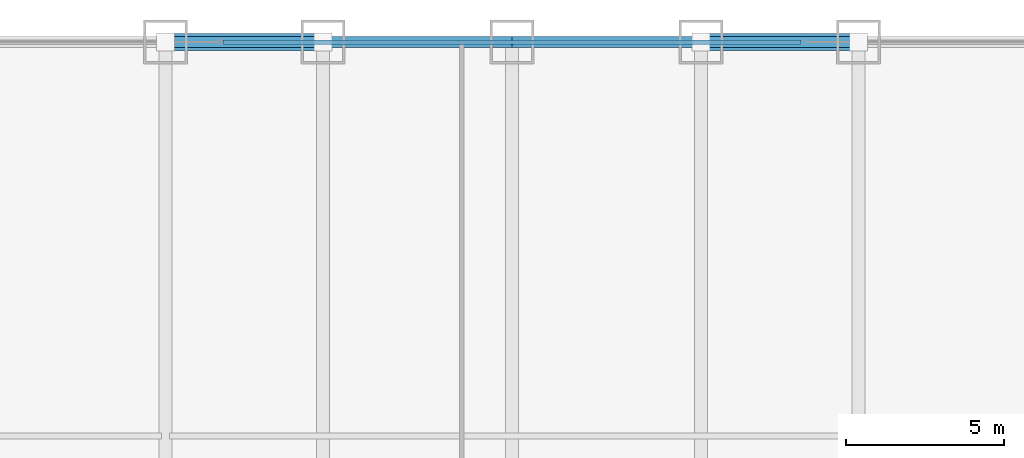
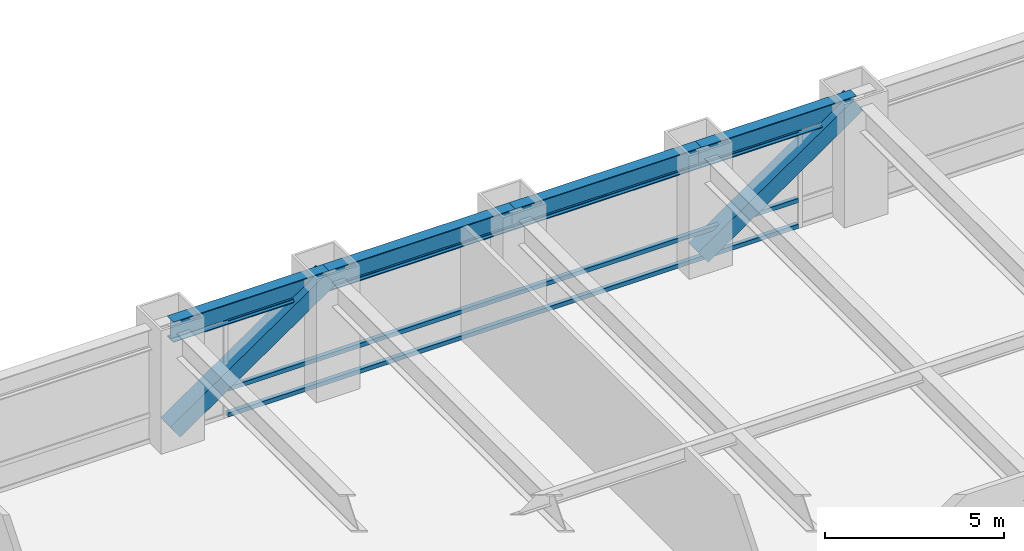
# One storey, part 20 of 28: 5 members, 4 beams, 1 element without a shape of its own.
"""IFC4 building model written with IfcOpenShell, lengths in metres."""

from ifc_helpers import new_model, si_unit, direction, frame, origin, origin_2d, place, context, subcontext, project, spatial, hollow_rectangle, i_section, extrude, source, transform, mapped, material, material_profile, profile_set, type_object, element, aggregate, save


model = new_model("IFC4")

# Units and contexts
model_context = context("Model", 3, precision=1e-05, world=origin(), true_north=direction((0.0, 1.0)))
body_context = subcontext(model_context, "Body", "Model", "MODEL_VIEW")
ifc_project = project(units=[si_unit("LENGTHUNIT", "METRE"), si_unit("AREAUNIT", "SQUARE_METRE"), si_unit("VOLUMEUNIT", "CUBIC_METRE"), si_unit("PLANEANGLEUNIT", "RADIAN"), si_unit("MASSUNIT", "GRAM", prefix="KILO")], contexts=[model_context])

# Site, building, storey
site_placement = place(None, origin())
site = spatial("IfcSite", under=ifc_project, at=site_placement, CompositionType="ELEMENT")
building_placement = place(site_placement, origin())
building = spatial("IfcBuilding", under=site, at=building_placement, Name="Khorayat Bourse Tower", CompositionType="ELEMENT")
storey_placement = place(building_placement, frame((0.0, 0.0, 57.800048828125)))
storey = spatial("IfcBuildingStorey", under=building, at=storey_placement, Name="L12", CompositionType="ELEMENT", Elevation=57.800048828125)

# Beams
ifc_material_1 = material(Name="Steel ASTM A992 Grade 50", Category="steel")
ifc_material_profile_1 = material_profile(ifc_material_1, i_section(OverallWidth=0.35498046875, OverallDepth=0.695068359375, WebThickness=0.015380859375, FlangeThickness=0.02490234375, FilletRadius=0.01806640625, at=origin_2d()), Name="W690X217")
ifc_profile_set_1 = profile_set([ifc_material_profile_1], Name="Steel ASTM A992 Grade 50")
beam_type = type_object("IfcBeamType", Name="BM-SPAN-690", PredefinedType="SPANDREL", material=ifc_profile_set_1)
shared_shape_1 = source(origin(), body_context, "Body", "SweptSolid", [
    extrude(i_section(OverallWidth=0.35498046875, OverallDepth=0.695068359375, WebThickness=0.015380859375, FlangeThickness=0.02490234375, FilletRadius=0.01806640625, at=origin_2d()), origin(), (0.0, 0.0, 1.0), 5.0),
])
for number, where, z_axis, x_axis, name in (
    (1, (6.0, 32.0, 3.592529296875), (1.0, 0.0, 0.0), (0.0, 1.0, 0.0), "L12 BM-SPAN-690 BM-L12-SPN-046"),
    (2, (-11.0, 32.0, 3.592529296875), (1.0, 0.0, 0.0), (0.0, 1.0, 0.0), "L12 BM-SPAN-690 BM-L12-SPN-049"),
):
    element("IfcBeam", number, at=place(storey_placement, frame(where, z_axis=z_axis, x_axis=x_axis)), inside=storey, type_object=beam_type, Name=name, PredefinedType="SPANDREL", context=body_context, shape_type="MappedRepresentation", body=[
        mapped(shared_shape_1, transform((0.0, 0.0, 0.0), scale=1.0)),
    ])
shared_shape_2 = source(origin(), body_context, "Body", "SweptSolid", [
    extrude(i_section(OverallWidth=0.35498046875, OverallDepth=0.695068359375, WebThickness=0.015380859375, FlangeThickness=0.02490234375, FilletRadius=0.01806640625, at=origin_2d()), origin(), (0.0, 0.0, 1.0), 6.0),
])
for number, where, z_axis, x_axis, name in (
    (3, (0.0, 32.0, 3.592529296875), (1.0, 0.0, 0.0), (0.0, 1.0, 0.0), "L12 BM-SPAN-690 BM-L12-SPN-047"),
    (4, (-6.0, 32.0, 3.592529296875), (1.0, 0.0, 0.0), (0.0, 1.0, 0.0), "L12 BM-SPAN-690 BM-L12-SPN-048"),
):
    element("IfcBeam", number, at=place(storey_placement, frame(where, z_axis=z_axis, x_axis=x_axis)), inside=storey, type_object=beam_type, Name=name, PredefinedType="SPANDREL", context=body_context, shape_type="MappedRepresentation", body=[
        mapped(shared_shape_2, transform((0.0, 0.0, 0.0), scale=1.0)),
    ])

# Members
ifc_material_2 = material(Name="Steel EN 10025-4 S460M", Category="steel")
ifc_material_profile_2 = material_profile(ifc_material_2, hollow_rectangle(XDim=0.550048828125, YDim=0.550048828125, WallThickness=0.031982421875, at=origin_2d()), Name="HSS 550x550x32")
ifc_profile_set_2 = profile_set([ifc_material_profile_2], Name="Steel EN 10025-4 S460M")
member_type_1 = type_object("IfcMemberType", Name="MBR-TUBE-550", PredefinedType="BRACE", material=ifc_profile_set_2)
shared_shape_3 = source(origin(), body_context, "Body", "SweptSolid", [
    extrude(hollow_rectangle(XDim=0.550048828125, YDim=0.550048828125, WallThickness=0.031982421875, at=origin_2d()), origin(), (0.0, 0.0, 1.0), 6.069091796875),
])
for number, where, z_axis, x_axis, name in (
    (5, (-11.0, 32.0, 0.25), (0.823854080622, 0.0, 0.566801952928), (0.0, 1.0, 0.0), "L12 Perimeter Tube Brace 03"),
    (6, (6.0, 32.0, 0.25), (0.823854080622, 0.0, 0.566801952928), (0.0, 1.0, 0.0), "L12 Perimeter Tube Brace 04"),
):
    element("IfcMember", number, at=place(storey_placement, frame(where, z_axis=z_axis, x_axis=x_axis)), inside=storey, type_object=member_type_1, Name=name, PredefinedType="BRACE", context=body_context, shape_type="MappedRepresentation", body=[
        mapped(shared_shape_3, transform((0.0, 0.0, 0.0), scale=1.0)),
    ])

# Curtain wall, members
ifc_material_3 = material(Name="Aluminium EN AW-6063 T6", Category="aluminium")
curtain_wall_type = type_object("IfcCurtainWallType", Name="CW-SYS-02", PredefinedType="NOTDEFINED", material=ifc_material_3)
curtain_wall_placement = place(storey_placement, origin())
curtain_wall = element("IfcCurtainWall", 7, at=curtain_wall_placement, inside=storey, type_object=curtain_wall_type, Name="L12 Curtain Wall CW-L12-N1", PredefinedType="NOTDEFINED")
ifc_material_profile_3 = material_profile(ifc_material_3, hollow_rectangle(XDim=0.139892578125, YDim=0.139892578125, WallThickness=0.006103515625, at=origin_2d()), Name="ALU 140x140x6")
ifc_profile_set_3 = profile_set([ifc_material_profile_3], Name="Aluminium EN AW-6063 T6")
member_type_2 = type_object("IfcMemberType", Name="CWT-HORZ-140", PredefinedType="USERDEFINED", material=ifc_profile_set_3)
shared_shape_4 = source(origin(), body_context, "Body", "SweptSolid", [
    extrude(hollow_rectangle(XDim=0.139892578125, YDim=0.139892578125, WallThickness=0.006103515625, at=origin_2d()), origin(), (0.0, 0.0, 1.0), 18.35986328125),
])
member_1_placement = place(storey_placement, frame((-9.179931640625, 32.0, 0.070068359375), z_axis=(1.0, 0.0, 0.0), x_axis=(0.0, 1.0, 0.0)))
member_1 = element("IfcMember", 8, at=member_1_placement, type_object=member_type_2, Name="CW-L12-N1 Horizontal Transom 2-1", ObjectType="TRANSOM", PredefinedType="USERDEFINED", context=body_context, shape_type="MappedRepresentation", body=[
    mapped(shared_shape_4, transform((0.0, 0.0, 0.0), scale=1.0)),
])
member_2_placement = place(storey_placement, frame((-9.179931640625, 32.0, 0.949951171875), z_axis=(1.0, 0.0, 0.0), x_axis=(0.0, 1.0, 0.0)))
member_2 = element("IfcMember", 9, at=member_2_placement, type_object=member_type_2, Name="CW-L12-N1 Horizontal Transom 2-2", ObjectType="TRANSOM", PredefinedType="USERDEFINED", context=body_context, shape_type="MappedRepresentation", body=[
    mapped(shared_shape_4, transform((0.0, 0.0, 0.0), scale=1.0)),
])
member_3_placement = place(storey_placement, frame((-9.179931640625, 32.0, 3.219970703125), z_axis=(1.0, 0.0, 0.0), x_axis=(0.0, 1.0, 0.0)))
member_3 = element("IfcMember", 10, at=member_3_placement, type_object=member_type_2, Name="CW-L12-N1 Horizontal Transom 2-3", ObjectType="TRANSOM", PredefinedType="USERDEFINED", context=body_context, shape_type="MappedRepresentation", body=[
    mapped(shared_shape_4, transform((0.0, 0.0, 0.0), scale=1.0)),
])
aggregate(curtain_wall, [member_1, member_2, member_3])

save(model, "model.ifc")
